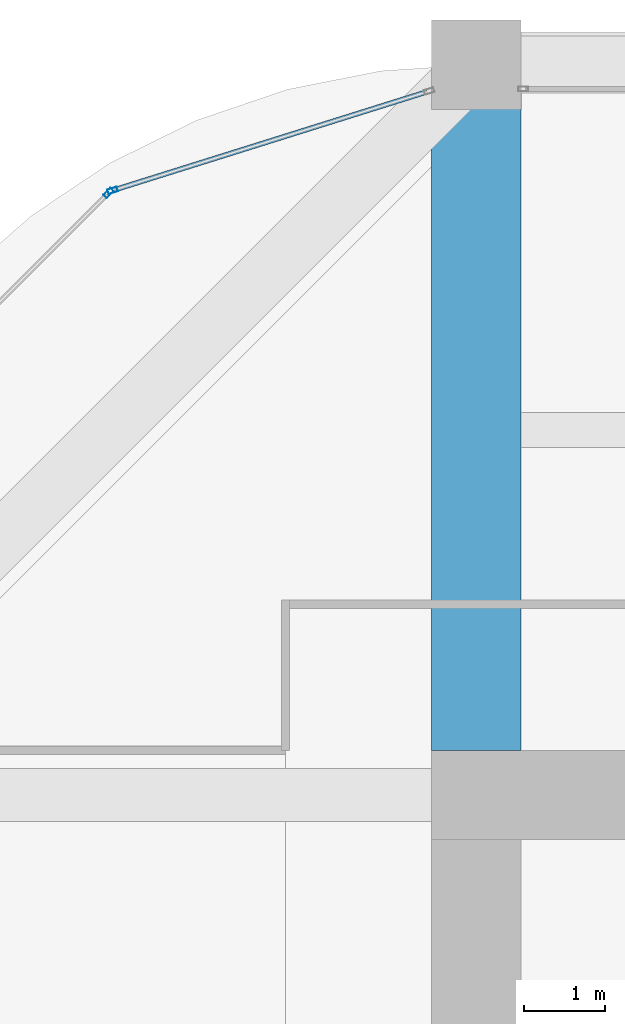
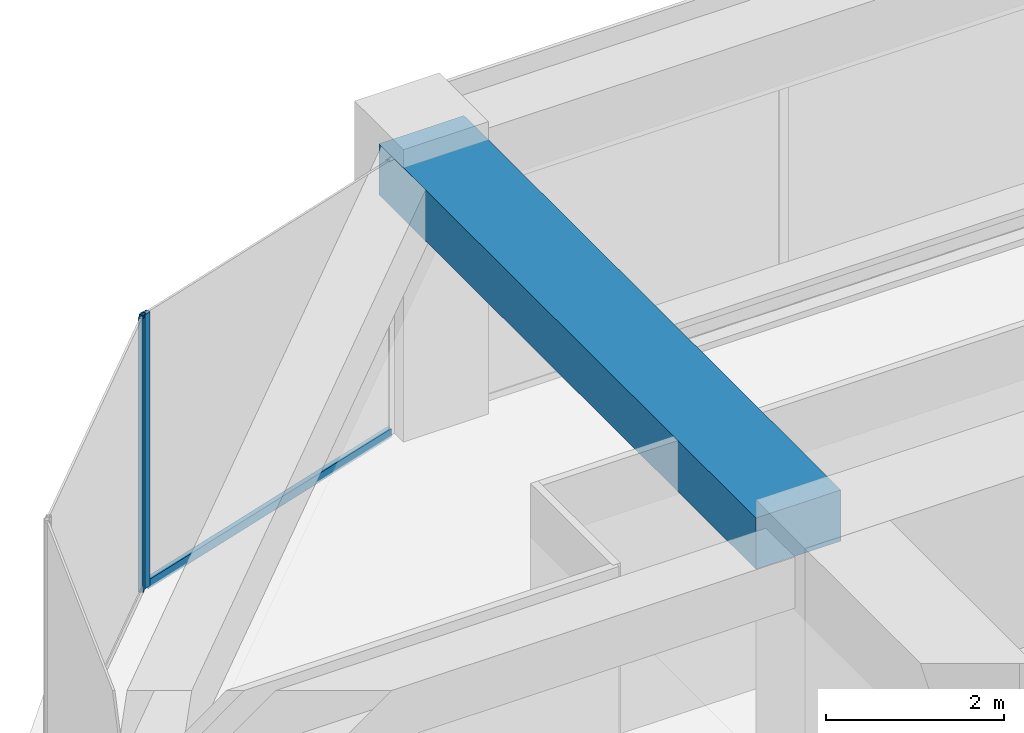
# One storey, part 30 of 45: 3 members, 1 beam, 2 elements without a shape of their own.
"""IFC4 building model written with IfcOpenShell, lengths in metres."""

import ifcopenshell
import ifcopenshell.guid

model = None  # the IFC model being written
_history = None  # IfcOwnerHistory: only IFC2X3 demands one
_inside = {}  # id of a spatial element -> (the spatial element, [elements in it])
_under = {}  # id of a project, library or spatial element -> (it, [spatial elements below it])
_declared = {}  # id of a project -> (the project, [libraries it declares])
_typed = {}  # id of a type object -> (the type object, [elements of that type])
_made_of = {}  # id of a material, layer set ... -> (it, [elements and type objects made of it])


def new_model(schema):
    """Start an empty IFC model of exactly this schema.

    Asked for "IFC4X3", IfcOpenShell would pick the latest addendum, in which some entities
    have other attributes; the version numbers below select the first issue.
    IFC2X3 requires an IfcOwnerHistory on every rooted entity: one is made here for all.
    """
    global model, _history
    if schema == "IFC4X3":
        model = ifcopenshell.file(schema_version=(4, 3, 0, 0))
    else:
        model = ifcopenshell.file(schema=schema)
    _inside.clear()
    _under.clear()
    _declared.clear()
    _typed.clear()
    _made_of.clear()
    _history = None
    if model.schema == "IFC2X3":
        org = make("IfcOrganization", Name="unknown")
        user = make(
            "IfcPersonAndOrganization",
            ThePerson=make("IfcPerson", FamilyName="unknown"),
            TheOrganization=org,
        )
        app = make(
            "IfcApplication",
            ApplicationDeveloper=org,
            Version="unknown",
            ApplicationFullName="unknown",
            ApplicationIdentifier="unknown",
        )
        _history = make(
            "IfcOwnerHistory",
            OwningUser=user,
            OwningApplication=app,
            ChangeAction="ADDED",
            CreationDate=0,
        )
    return model


def make(cls, **values):
    """One entity of the class cls with the attributes given. An attribute that is None is left unset."""
    return model.create_entity(
        cls, **{name: value for name, value in values.items() if value is not None}
    )


def rooted(cls, **values):
    """An entity with a GlobalId (a new one), such as an element, a storey or a relation."""
    return make(cls, GlobalId=ifcopenshell.guid.new(), OwnerHistory=_history, **values)


def si_unit(unit_type, name, prefix=None):
    """IfcSIUnit, for example si_unit("LENGTHUNIT", "METRE", prefix="MILLI")."""
    return make("IfcSIUnit", UnitType=unit_type, Prefix=prefix, Name=name)


def assignment(units):
    """IfcUnitAssignment: the units of a project."""
    return None if units is None else make("IfcUnitAssignment", Units=units)


def point(xyz):
    """IfcCartesianPoint."""
    return None if xyz is None else make("IfcCartesianPoint", Coordinates=xyz)


def direction(xyz):
    """IfcDirection."""
    return None if xyz is None else make("IfcDirection", DirectionRatios=xyz)


def frame(location, z_axis=None, x_axis=None):
    """IfcAxis2Placement3D, a coordinate frame: its origin and axes. An axis left out is left unset."""
    return make(
        "IfcAxis2Placement3D",
        Location=point(location),
        Axis=direction(z_axis),
        RefDirection=direction(x_axis),
    )


def frame_2d(location, x_axis=None):
    """IfcAxis2Placement2D, a coordinate frame in the plane: its origin and x axis."""
    return make(
        "IfcAxis2Placement2D", Location=point(location), RefDirection=direction(x_axis)
    )


def origin():
    """The frame at (0, 0, 0) with its axes left unset."""
    return frame((0.0, 0.0, 0.0))


def origin_2d():
    """The frame at (0, 0) in the plane with its x axis left unset."""
    return frame_2d((0.0, 0.0))


def place(relative_to, where):
    """IfcLocalPlacement: puts the frame where relative to a parent placement (None: the world)."""
    return make(
        "IfcLocalPlacement", PlacementRelTo=relative_to, RelativePlacement=where
    )


def context(
    kind, dimensions, precision=None, world=None, true_north=None, identifier=None
):
    """IfcGeometricRepresentationContext, for example the 3D "Model" context."""
    return make(
        "IfcGeometricRepresentationContext",
        ContextIdentifier=identifier,
        ContextType=kind,
        CoordinateSpaceDimension=dimensions,
        Precision=precision,
        WorldCoordinateSystem=world,
        TrueNorth=true_north,
    )


def subcontext(parent, identifier, kind, view, scale=None):
    """IfcGeometricRepresentationSubContext, for example "Body" below "Model"."""
    return make(
        "IfcGeometricRepresentationSubContext",
        ContextIdentifier=identifier,
        ContextType=kind,
        ParentContext=parent,
        TargetScale=scale,
        TargetView=view,
    )


def project(units=None, contexts=None):
    """IfcProject with its units and contexts."""
    return rooted(
        "IfcProject",
        Name="project",
        RepresentationContexts=contexts,
        UnitsInContext=assignment(units),
    )


def spatial(cls, under=None, at=None, **own):
    """A site, building, storey or space (cls), placed at a placement, below another one or the project."""
    s = rooted(cls, ObjectPlacement=at, **own)
    if under is not None:
        _under.setdefault(under.id(), (under, []))[1].append(s)
    return s


def profile(cls, at=None, kind="AREA", **sizes):
    """A parametric profile (cls). Its sizes go by their IFC names, for example OverallWidth=200.0."""
    return make(cls, ProfileType=kind, Position=at, **sizes)


def rectangle(**sizes):
    """IfcRectangleProfileDef."""
    return profile("IfcRectangleProfileDef", **sizes)


def hollow_rectangle(**sizes):
    """IfcRectangleHollowProfileDef."""
    return profile("IfcRectangleHollowProfileDef", **sizes)


def extrude(swept, where, along, depth):
    """IfcExtrudedAreaSolid: the profile swept, set in the frame where, extruded along a direction by depth."""
    return make(
        "IfcExtrudedAreaSolid",
        SweptArea=swept,
        Position=where,
        ExtrudedDirection=direction(along),
        Depth=depth,
    )


def shape(context_of_items, identifier, shape_type, items):
    """IfcShapeRepresentation: the items that make up one representation, for example the "Body"."""
    return make(
        "IfcShapeRepresentation",
        ContextOfItems=context_of_items,
        RepresentationIdentifier=identifier,
        RepresentationType=shape_type,
        Items=items,
    )


def material(Name=None, Category=None):
    """IfcMaterial."""
    return make("IfcMaterial", Name=Name, Category=Category)


def material_profile(
    of_material, cross_section, Name=None, Category=None, Priority=None
):
    """IfcMaterialProfile: a cross section and its material."""
    return make(
        "IfcMaterialProfile",
        Name=Name,
        Material=of_material,
        Profile=cross_section,
        Priority=Priority,
        Category=Category,
    )


def profile_set(profiles, Name=None, composite=None):
    """IfcMaterialProfileSet."""
    return make(
        "IfcMaterialProfileSet",
        Name=Name,
        MaterialProfiles=profiles,
        CompositeProfile=composite,
    )


def made_of(thing, what):
    """Note that an element or type object is made of a material, layer set ...; save() writes the relation."""
    if what is not None:
        _made_of.setdefault(what.id(), (what, []))[1].append(thing)
    return thing


def type_object(cls, material=None, **own):
    """A type object (cls), such as IfcWallType, which elements share."""
    return made_of(rooted(cls, **own), material)


def element(
    cls,
    number,
    at=None,
    inside=None,
    cuts=None,
    type_object=None,
    material=None,
    context=None,
    identifier="Body",
    shape_type=None,
    held_by="IfcProductDefinitionShape",
    body=None,
    shapes=None,
    **own,
):
    """One element of the class cls, such as IfcWall. Its Tag is "e" and its number.

    at: its placement. inside: the storey or other place that contains it. cuts: it is an
    opening in that element (IfcRelVoidsElement). A single representation is given by context,
    identifier, shape_type and body (its items); several are given by shapes. held_by: the class
    of the entity that holds the representations. save() writes the other relations.
    """
    e = rooted(cls, Tag="e%d" % number, ObjectPlacement=at, **own)
    if body is not None:
        shapes = [shape(context, identifier, shape_type, body)]
    if shapes is not None:
        e.Representation = make(held_by, Representations=shapes)
    if inside is not None:
        _inside.setdefault(inside.id(), (inside, []))[1].append(e)
    if cuts is not None:
        rooted(
            "IfcRelVoidsElement", RelatingBuildingElement=cuts, RelatedOpeningElement=e
        )
    if type_object is not None:
        _typed.setdefault(type_object.id(), (type_object, []))[1].append(e)
    return made_of(e, material)


def aggregate(whole, parts):
    """IfcRelAggregates: a whole, such as a stair, and the parts it consists of."""
    return rooted("IfcRelAggregates", RelatingObject=whole, RelatedObjects=parts)


def save(model, path):
    """Write the relations noted so far, then the file.

    IfcRelAggregates (storeys below a building ...), IfcRelContainedInSpatialStructure (elements
    in a storey), IfcRelDefinesByType, IfcRelAssociatesMaterial and IfcRelDeclares: one each for
    every whole, place, type object, material and project.
    """
    for whole, parts in _under.values():
        aggregate(whole, parts)
    for where, things in _inside.values():
        rooted(
            "IfcRelContainedInSpatialStructure",
            RelatedElements=things,
            RelatingStructure=where,
        )
    for kind, things in _typed.values():
        rooted("IfcRelDefinesByType", RelatedObjects=things, RelatingType=kind)
    for what, things in _made_of.values():
        rooted("IfcRelAssociatesMaterial", RelatedObjects=things, RelatingMaterial=what)
    for by, libraries in _declared.values():
        rooted("IfcRelDeclares", RelatingContext=by, RelatedDefinitions=libraries)
    model.write(path)


model = new_model("IFC4")

# Units and contexts
model_context = context("Model", 3, precision=1e-05, world=origin(), true_north=direction((0.0, 1.0)))
body_context = subcontext(model_context, "Body", "Model", "MODEL_VIEW")
ifc_project = project(units=[si_unit("LENGTHUNIT", "METRE"), si_unit("AREAUNIT", "SQUARE_METRE"), si_unit("VOLUMEUNIT", "CUBIC_METRE"), si_unit("PLANEANGLEUNIT", "RADIAN"), si_unit("MASSUNIT", "GRAM", prefix="KILO")], contexts=[model_context])

# Site, building, storey
site_placement = place(None, origin())
site = spatial("IfcSite", under=ifc_project, at=site_placement, CompositionType="ELEMENT")
building_placement = place(site_placement, origin())
building = spatial("IfcBuilding", under=site, at=building_placement, Name="Zorevar Civic Tower", CompositionType="ELEMENT")
storey_placement = place(building_placement, frame((0.0, 0.0, 291.39990234375)))
storey = spatial("IfcBuildingStorey", under=building, at=storey_placement, Name="L71", CompositionType="ELEMENT", Elevation=291.39990234375)

# Beam
ifc_material_1 = material(Name="Concrete C50/60", Category="concrete")
ifc_material_profile_1 = material_profile(ifc_material_1, rectangle(XDim=1.10009765625, YDim=0.699951171875, at=origin_2d()), Name="RC 1100x700")
ifc_profile_set_1 = profile_set([ifc_material_profile_1], Name="Concrete C50/60")
beam_type = type_object("IfcBeamType", Name="Beam RC 1100x700", PredefinedType="BEAM", material=ifc_profile_set_1)
beam_placement = place(storey_placement, frame((18.0, 36.550048828125, 3.400146484375), z_axis=(0.0, 1.0, 0.0), x_axis=(-1.0, 0.0, 0.0)))
element("IfcBeam", 1, at=beam_placement, inside=storey, type_object=beam_type, Name="Girder L72", PredefinedType="BEAM", context=body_context, shape_type="SweptSolid", body=[
    extrude(rectangle(XDim=1.10009765625, YDim=0.699951171875, at=origin_2d()), origin(), (0.0, 0.0, 1.0), 8.449951171875),
])

# Curtain wall, member
ifc_material_2 = material(Name="Dark grey solar-control glass in black aluminium frame", Category="aluminium")
curtain_wall_type = type_object("IfcCurtainWallType", Name="Curtain wall CW5 top zone", PredefinedType="NOTDEFINED", material=ifc_material_2)
curtain_wall_1_placement = place(storey_placement, origin())
curtain_wall_1 = element("IfcCurtainWall", 2, at=curtain_wall_1_placement, inside=storey, type_object=curtain_wall_type, Name="CW5 L71", PredefinedType="NOTDEFINED")
ifc_material_3 = material(Name="Aluminium, black anodised", Category="aluminium")
ifc_material_profile_2 = material_profile(ifc_material_3, hollow_rectangle(XDim=0.06005859375, YDim=0.1201171875, WallThickness=0.0029296875, at=origin_2d()), Name="AL 120x60x3")
ifc_profile_set_2 = profile_set([ifc_material_profile_2], Name="Aluminium, black anodised")
member_type_1 = type_object("IfcMemberType", Name="CW5 mullion AL 120x60x3", PredefinedType="MULLION", material=ifc_profile_set_2)
member_1_placement = place(storey_placement, frame((13.520751953125, 43.449951171875, 0.0), z_axis=(0.0, 0.0, 1.0), x_axis=(0.299317920238, -0.954153437674, 0.0)))
member_1 = element("IfcMember", 3, at=member_1_placement, type_object=member_type_1, Name="CW5 mullion 2", PredefinedType="MULLION", context=body_context, shape_type="SweptSolid", body=[
    extrude(hollow_rectangle(XDim=0.06005859375, YDim=0.1201171875, WallThickness=0.0029296875, at=origin_2d()), origin(), (0.0, 0.0, 1.0), 3.75),
])

curtain_wall_2_placement = place(storey_placement, origin())
curtain_wall_2 = element("IfcCurtainWall", 4, at=curtain_wall_2_placement, inside=storey, type_object=curtain_wall_type, Name="CW5 L71", PredefinedType="NOTDEFINED")
member_2_placement = place(storey_placement, frame((13.470947265625, 43.419677734375, 0.0), z_axis=(0.0, 0.0, 1.0), x_axis=(0.707106781187, -0.707106781187, 0.0)))
member_2 = element("IfcMember", 5, at=member_2_placement, type_object=member_type_1, Name="CW5 mullion 1", PredefinedType="MULLION", context=body_context, shape_type="SweptSolid", body=[
    extrude(hollow_rectangle(XDim=0.06005859375, YDim=0.1201171875, WallThickness=0.0029296875, at=origin_2d()), origin(), (0.0, 0.0, 1.0), 3.75),
])
aggregate(curtain_wall_2, [member_2])

# Member
ifc_material_4 = material(Name="Aluminium, black anodised", Category="aluminium")
ifc_material_profile_3 = material_profile(ifc_material_4, hollow_rectangle(XDim=0.06005859375, YDim=0.1201171875, WallThickness=0.0029296875, at=origin_2d()), Name="AL 120x60x3")
ifc_profile_set_3 = profile_set([ifc_material_profile_3], Name="Aluminium, black anodised")
member_type_2 = type_object("IfcMemberType", Name="CW5 transom AL 120x60x3", PredefinedType="USERDEFINED", material=ifc_profile_set_3)
member_3_placement = place(storey_placement, frame((17.392822265625, 44.66455078125, 0.030029296875), z_axis=(-0.954163457351, -0.299285978047, 0.0), x_axis=(0.299285978047, -0.954163457351, 0.0)))
member_3 = element("IfcMember", 6, at=member_3_placement, type_object=member_type_2, Name="CW5 sill transom", ObjectType="TRANSOM", PredefinedType="USERDEFINED", context=body_context, shape_type="SweptSolid", body=[
    extrude(hollow_rectangle(XDim=0.06005859375, YDim=0.1201171875, WallThickness=0.0029296875, at=origin_2d()), origin(), (0.0, 0.0, 1.0), 4.028076171875),
])

aggregate(curtain_wall_1, [member_1, member_3])

save(model, "model.ifc")
